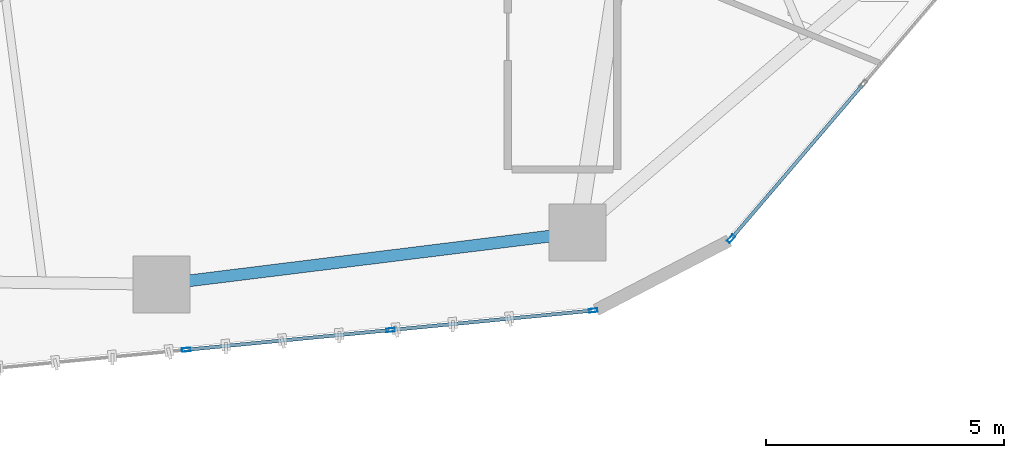
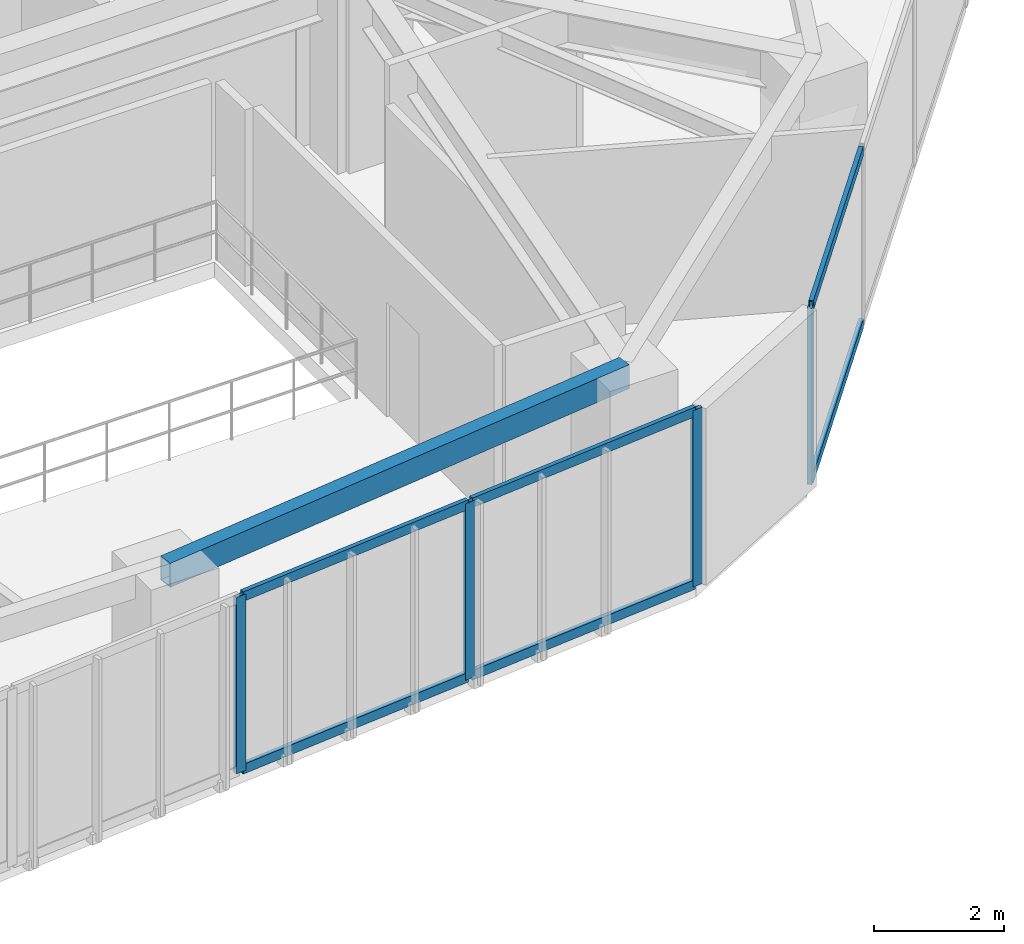
# One storey, part 6 of 22: 10 members, 1 beam, 2 elements without a shape of their own.
"""IFC4 building model written with IfcOpenShell, lengths in metres."""

import ifcopenshell
import ifcopenshell.guid

model = None  # the IFC model being written
_history = None  # IfcOwnerHistory: only IFC2X3 demands one
_inside = {}  # id of a spatial element -> (the spatial element, [elements in it])
_under = {}  # id of a project, library or spatial element -> (it, [spatial elements below it])
_declared = {}  # id of a project -> (the project, [libraries it declares])
_typed = {}  # id of a type object -> (the type object, [elements of that type])
_made_of = {}  # id of a material, layer set ... -> (it, [elements and type objects made of it])


def new_model(schema):
    """Start an empty IFC model of exactly this schema.

    Asked for "IFC4X3", IfcOpenShell would pick the latest addendum, in which some entities
    have other attributes; the version numbers below select the first issue.
    IFC2X3 requires an IfcOwnerHistory on every rooted entity: one is made here for all.
    """
    global model, _history
    if schema == "IFC4X3":
        model = ifcopenshell.file(schema_version=(4, 3, 0, 0))
    else:
        model = ifcopenshell.file(schema=schema)
    _inside.clear()
    _under.clear()
    _declared.clear()
    _typed.clear()
    _made_of.clear()
    _history = None
    if model.schema == "IFC2X3":
        org = make("IfcOrganization", Name="unknown")
        user = make(
            "IfcPersonAndOrganization",
            ThePerson=make("IfcPerson", FamilyName="unknown"),
            TheOrganization=org,
        )
        app = make(
            "IfcApplication",
            ApplicationDeveloper=org,
            Version="unknown",
            ApplicationFullName="unknown",
            ApplicationIdentifier="unknown",
        )
        _history = make(
            "IfcOwnerHistory",
            OwningUser=user,
            OwningApplication=app,
            ChangeAction="ADDED",
            CreationDate=0,
        )
    return model


def make(cls, **values):
    """One entity of the class cls with the attributes given. An attribute that is None is left unset."""
    return model.create_entity(
        cls, **{name: value for name, value in values.items() if value is not None}
    )


def rooted(cls, **values):
    """An entity with a GlobalId (a new one), such as an element, a storey or a relation."""
    return make(cls, GlobalId=ifcopenshell.guid.new(), OwnerHistory=_history, **values)


def si_unit(unit_type, name, prefix=None):
    """IfcSIUnit, for example si_unit("LENGTHUNIT", "METRE", prefix="MILLI")."""
    return make("IfcSIUnit", UnitType=unit_type, Prefix=prefix, Name=name)


def assignment(units):
    """IfcUnitAssignment: the units of a project."""
    return None if units is None else make("IfcUnitAssignment", Units=units)


def point(xyz):
    """IfcCartesianPoint."""
    return None if xyz is None else make("IfcCartesianPoint", Coordinates=xyz)


def direction(xyz):
    """IfcDirection."""
    return None if xyz is None else make("IfcDirection", DirectionRatios=xyz)


def frame(location, z_axis=None, x_axis=None):
    """IfcAxis2Placement3D, a coordinate frame: its origin and axes. An axis left out is left unset."""
    return make(
        "IfcAxis2Placement3D",
        Location=point(location),
        Axis=direction(z_axis),
        RefDirection=direction(x_axis),
    )


def frame_2d(location, x_axis=None):
    """IfcAxis2Placement2D, a coordinate frame in the plane: its origin and x axis."""
    return make(
        "IfcAxis2Placement2D", Location=point(location), RefDirection=direction(x_axis)
    )


def origin():
    """The frame at (0, 0, 0) with its axes left unset."""
    return frame((0.0, 0.0, 0.0))


def origin_2d():
    """The frame at (0, 0) in the plane with its x axis left unset."""
    return frame_2d((0.0, 0.0))


def place(relative_to, where):
    """IfcLocalPlacement: puts the frame where relative to a parent placement (None: the world)."""
    return make(
        "IfcLocalPlacement", PlacementRelTo=relative_to, RelativePlacement=where
    )


def context(
    kind, dimensions, precision=None, world=None, true_north=None, identifier=None
):
    """IfcGeometricRepresentationContext, for example the 3D "Model" context."""
    return make(
        "IfcGeometricRepresentationContext",
        ContextIdentifier=identifier,
        ContextType=kind,
        CoordinateSpaceDimension=dimensions,
        Precision=precision,
        WorldCoordinateSystem=world,
        TrueNorth=true_north,
    )


def subcontext(parent, identifier, kind, view, scale=None):
    """IfcGeometricRepresentationSubContext, for example "Body" below "Model"."""
    return make(
        "IfcGeometricRepresentationSubContext",
        ContextIdentifier=identifier,
        ContextType=kind,
        ParentContext=parent,
        TargetScale=scale,
        TargetView=view,
    )


def project(units=None, contexts=None):
    """IfcProject with its units and contexts."""
    return rooted(
        "IfcProject",
        Name="project",
        RepresentationContexts=contexts,
        UnitsInContext=assignment(units),
    )


def spatial(cls, under=None, at=None, **own):
    """A site, building, storey or space (cls), placed at a placement, below another one or the project."""
    s = rooted(cls, ObjectPlacement=at, **own)
    if under is not None:
        _under.setdefault(under.id(), (under, []))[1].append(s)
    return s


def profile(cls, at=None, kind="AREA", **sizes):
    """A parametric profile (cls). Its sizes go by their IFC names, for example OverallWidth=200.0."""
    return make(cls, ProfileType=kind, Position=at, **sizes)


def hollow_rectangle(**sizes):
    """IfcRectangleHollowProfileDef."""
    return profile("IfcRectangleHollowProfileDef", **sizes)


def extrude(swept, where, along, depth):
    """IfcExtrudedAreaSolid: the profile swept, set in the frame where, extruded along a direction by depth."""
    return make(
        "IfcExtrudedAreaSolid",
        SweptArea=swept,
        Position=where,
        ExtrudedDirection=direction(along),
        Depth=depth,
    )


def shape(context_of_items, identifier, shape_type, items):
    """IfcShapeRepresentation: the items that make up one representation, for example the "Body"."""
    return make(
        "IfcShapeRepresentation",
        ContextOfItems=context_of_items,
        RepresentationIdentifier=identifier,
        RepresentationType=shape_type,
        Items=items,
    )


def source(mapping_origin, context_of_items, identifier, shape_type, items):
    """IfcRepresentationMap: a shape defined once, which mapped items show again and again."""
    return make(
        "IfcRepresentationMap",
        MappingOrigin=mapping_origin,
        MappedRepresentation=shape(context_of_items, identifier, shape_type, items),
    )


def transform(
    local_origin,
    x_axis=None,
    y_axis=None,
    z_axis=None,
    scale=None,
    scale2=None,
    scale3=None,
    uniform=True,
):
    """IfcCartesianTransformationOperator3D, or its non-uniform kind. x_axis, y_axis, z_axis: its Axis1, 2, 3."""
    if uniform:
        return make(
            "IfcCartesianTransformationOperator3D",
            Axis1=direction(x_axis),
            Axis2=direction(y_axis),
            LocalOrigin=point(local_origin),
            Scale=scale,
            Axis3=direction(z_axis),
        )
    return make(
        "IfcCartesianTransformationOperator3DnonUniform",
        Axis1=direction(x_axis),
        Axis2=direction(y_axis),
        LocalOrigin=point(local_origin),
        Scale=scale,
        Axis3=direction(z_axis),
        Scale2=scale2,
        Scale3=scale3,
    )


def mapped(mapping_source, mapping_target):
    """IfcMappedItem: shows the shape of a source again, moved by a transform."""
    return make(
        "IfcMappedItem", MappingSource=mapping_source, MappingTarget=mapping_target
    )


def material(Name=None, Category=None):
    """IfcMaterial."""
    return make("IfcMaterial", Name=Name, Category=Category)


def layer(
    of_material, thickness, ventilated=None, Name=None, Category=None, Priority=None
):
    """IfcMaterialLayer: one layer of a wall or slab, of a material (None: an air gap)."""
    return make(
        "IfcMaterialLayer",
        Material=of_material,
        LayerThickness=thickness,
        IsVentilated=ventilated,
        Name=Name,
        Category=Category,
        Priority=Priority,
    )


def layer_set(layers, Name=None):
    """IfcMaterialLayerSet."""
    return make("IfcMaterialLayerSet", MaterialLayers=layers, LayerSetName=Name)


def material_profile(
    of_material, cross_section, Name=None, Category=None, Priority=None
):
    """IfcMaterialProfile: a cross section and its material."""
    return make(
        "IfcMaterialProfile",
        Name=Name,
        Material=of_material,
        Profile=cross_section,
        Priority=Priority,
        Category=Category,
    )


def profile_set(profiles, Name=None, composite=None):
    """IfcMaterialProfileSet."""
    return make(
        "IfcMaterialProfileSet",
        Name=Name,
        MaterialProfiles=profiles,
        CompositeProfile=composite,
    )


def made_of(thing, what):
    """Note that an element or type object is made of a material, layer set ...; save() writes the relation."""
    if what is not None:
        _made_of.setdefault(what.id(), (what, []))[1].append(thing)
    return thing


def type_object(cls, material=None, **own):
    """A type object (cls), such as IfcWallType, which elements share."""
    return made_of(rooted(cls, **own), material)


def type_shapes(of_type, sources):
    """Give a type object the sources (RepresentationMaps) that its elements show as mapped items."""
    of_type.RepresentationMaps = sources


def element(
    cls,
    number,
    at=None,
    inside=None,
    cuts=None,
    type_object=None,
    material=None,
    context=None,
    identifier="Body",
    shape_type=None,
    held_by="IfcProductDefinitionShape",
    body=None,
    shapes=None,
    **own,
):
    """One element of the class cls, such as IfcWall. Its Tag is "e" and its number.

    at: its placement. inside: the storey or other place that contains it. cuts: it is an
    opening in that element (IfcRelVoidsElement). A single representation is given by context,
    identifier, shape_type and body (its items); several are given by shapes. held_by: the class
    of the entity that holds the representations. save() writes the other relations.
    """
    e = rooted(cls, Tag="e%d" % number, ObjectPlacement=at, **own)
    if body is not None:
        shapes = [shape(context, identifier, shape_type, body)]
    if shapes is not None:
        e.Representation = make(held_by, Representations=shapes)
    if inside is not None:
        _inside.setdefault(inside.id(), (inside, []))[1].append(e)
    if cuts is not None:
        rooted(
            "IfcRelVoidsElement", RelatingBuildingElement=cuts, RelatedOpeningElement=e
        )
    if type_object is not None:
        _typed.setdefault(type_object.id(), (type_object, []))[1].append(e)
    return made_of(e, material)


def aggregate(whole, parts):
    """IfcRelAggregates: a whole, such as a stair, and the parts it consists of."""
    return rooted("IfcRelAggregates", RelatingObject=whole, RelatedObjects=parts)


def save(model, path):
    """Write the relations noted so far, then the file.

    IfcRelAggregates (storeys below a building ...), IfcRelContainedInSpatialStructure (elements
    in a storey), IfcRelDefinesByType, IfcRelAssociatesMaterial and IfcRelDeclares: one each for
    every whole, place, type object, material and project.
    """
    for whole, parts in _under.values():
        aggregate(whole, parts)
    for where, things in _inside.values():
        rooted(
            "IfcRelContainedInSpatialStructure",
            RelatedElements=things,
            RelatingStructure=where,
        )
    for kind, things in _typed.values():
        rooted("IfcRelDefinesByType", RelatedObjects=things, RelatingType=kind)
    for what, things in _made_of.values():
        rooted("IfcRelAssociatesMaterial", RelatedObjects=things, RelatingMaterial=what)
    for by, libraries in _declared.values():
        rooted("IfcRelDeclares", RelatingContext=by, RelatedDefinitions=libraries)
    model.write(path)


model = new_model("IFC4")

# Units and contexts
model_context = context("Model", 3, precision=1e-05, world=origin(), true_north=direction((0.0, 1.0)))
body_context = subcontext(model_context, "Body", "Model", "MODEL_VIEW")
ifc_project = project(units=[si_unit("LENGTHUNIT", "METRE"), si_unit("AREAUNIT", "SQUARE_METRE"), si_unit("VOLUMEUNIT", "CUBIC_METRE"), si_unit("PLANEANGLEUNIT", "RADIAN"), si_unit("MASSUNIT", "GRAM", prefix="KILO")], contexts=[model_context])

# Site, building, storey
site_placement = place(None, origin())
site = spatial("IfcSite", under=ifc_project, at=site_placement, CompositionType="ELEMENT")
building_placement = place(site_placement, origin())
building = spatial("IfcBuilding", under=site, at=building_placement, Name="Talar Marvaseh", CompositionType="ELEMENT")
storey_placement = place(building_placement, frame((0.0, 0.0, 107.39990234375)))
storey = spatial("IfcBuildingStorey", under=building, at=storey_placement, Name="L27", CompositionType="ELEMENT", Elevation=107.39990234375)

# Beam
ifc_material_1 = material(Name="Steel S355", Category="steel")
ifc_material_profile_1 = material_profile(ifc_material_1, hollow_rectangle(XDim=0.25, YDim=0.449951171875, WallThickness=0.01611328125, at=origin_2d()), Name="RHS450x250x16")
ifc_profile_set_1 = profile_set([ifc_material_profile_1], Name="Steel S355")
beam_type = type_object("IfcBeamType", Name="Zone 2 Perimeter Spandrel Beam RHS450x250x16", PredefinedType="SPANDREL", material=ifc_profile_set_1)
beam_placement = place(storey_placement, frame((31.570068359375, 14.26806640625, 3.085205078125), z_axis=(-0.992426007218, -0.122843885468, 0.0), x_axis=(0.122843885468, -0.992426007218, 0.0)))
element("IfcBeam", 1, at=beam_placement, inside=storey, type_object=beam_type, Name="L27 Zone 2 Perimeter Spandrel Beam RHS450x250x16", PredefinedType="SPANDREL", context=body_context, shape_type="SweptSolid", body=[
    extrude(hollow_rectangle(XDim=0.25, YDim=0.449951171875, WallThickness=0.01611328125, at=origin_2d()), origin(), (0.0, 0.0, 1.0), 8.83203125),
])

# Curtain wall, member
ifc_material_2 = material(Name="Architectural Aluminium", Category="aluminium")
ifc_layer = layer(ifc_material_2, 0.199951171875)
ifc_layer_set = layer_set([ifc_layer], Name="Architectural Aluminium")
curtain_wall_type = type_object("IfcCurtainWallType", Name="Unitised Acoustic Library Curtain Wall Z2", PredefinedType="NOTDEFINED", material=ifc_layer_set)
curtain_wall_1_placement = place(storey_placement, origin())
curtain_wall_1 = element("IfcCurtainWall", 2, at=curtain_wall_1_placement, inside=storey, type_object=curtain_wall_type, Name="L27 Unitised Acoustic Library Curtain Wall Z2", PredefinedType="NOTDEFINED")
ifc_material_profile_2 = material_profile(ifc_material_2, hollow_rectangle(XDim=0.074951171875, YDim=0.179931640625, WallThickness=0.0048828125, at=origin_2d()), Name="RHS180x75x5")
ifc_profile_set_2 = profile_set([ifc_material_profile_2], Name="Architectural Aluminium")
member_type_1 = type_object("IfcMemberType", Name="Unitised Curtain Wall Standard Mullion RHS180x75x5", PredefinedType="MULLION", material=ifc_profile_set_2)
shared_shape_1 = source(origin(), body_context, "Body", "SweptSolid", [
    extrude(hollow_rectangle(XDim=0.074951171875, YDim=0.179931640625, WallThickness=0.0048828125, at=origin_2d()), origin(), (0.0, 0.0, 1.0), 3.31005859375),
])
type_shapes(member_type_1, [shared_shape_1])
member_1_placement = place(storey_placement, frame((34.797607421875, 14.140625, 0.0), z_axis=(0.0, 0.0, 1.0), x_axis=(0.760304758607, -0.649566527801, 0.0)))
member_1 = element("IfcMember", 3, at=member_1_placement, type_object=member_type_1, Name="CW-Z2 mullion 6", PredefinedType="MULLION", context=body_context, shape_type="MappedRepresentation", body=[
    mapped(shared_shape_1, transform((0.0, 0.0, 0.0), x_axis=(1.0, 0.0, 0.0), y_axis=(0.0, 1.0, 0.0), z_axis=(0.0, 0.0, 1.0), scale=1.0)),
])

# Curtain wall, members
curtain_wall_2_placement = place(storey_placement, origin())
curtain_wall_2 = element("IfcCurtainWall", 4, at=curtain_wall_2_placement, inside=storey, type_object=curtain_wall_type, Name="L27 Unitised Acoustic Library Curtain Wall Z2", PredefinedType="NOTDEFINED")
member_2_placement = place(storey_placement, frame((31.8974609375, 12.630859375, 0.0), z_axis=(0.0, 0.0, 1.0), x_axis=(0.096000280061, -0.995381306951, 0.0)))
member_2 = element("IfcMember", 5, at=member_2_placement, type_object=member_type_1, Name="CW-Z2 mullion 1", PredefinedType="MULLION", context=body_context, shape_type="MappedRepresentation", body=[
    mapped(shared_shape_1, transform((0.0, 0.0, 0.0), x_axis=(1.0, 0.0, 0.0), y_axis=(0.0, 1.0, 0.0), z_axis=(0.0, 0.0, 1.0), scale=1.0)),
])
member_3_placement = place(storey_placement, frame((27.631103515625, 12.219482421875, 0.0), z_axis=(0.0, 0.0, 1.0), x_axis=(0.096000280061, -0.995381306951, 0.0)))
member_3 = element("IfcMember", 6, at=member_3_placement, type_object=member_type_1, Name="CW-Z2 mullion 2", PredefinedType="MULLION", context=body_context, shape_type="MappedRepresentation", body=[
    mapped(shared_shape_1, transform((0.0, 0.0, 0.0), x_axis=(1.0, 0.0, 0.0), y_axis=(0.0, 1.0, 0.0), z_axis=(0.0, 0.0, 1.0), scale=1.0)),
])
member_4_placement = place(storey_placement, frame((23.32763671875, 11.804443359375, 0.0), z_axis=(0.0, 0.0, 1.0), x_axis=(0.096000280061, -0.995381306951, 0.0)))
member_4 = element("IfcMember", 7, at=member_4_placement, type_object=member_type_1, Name="CW-Z2 mullion 3", PredefinedType="MULLION", context=body_context, shape_type="MappedRepresentation", body=[
    mapped(shared_shape_1, transform((0.0, 0.0, 0.0), x_axis=(1.0, 0.0, 0.0), y_axis=(0.0, 1.0, 0.0), z_axis=(0.0, 0.0, 1.0), scale=1.0)),
])
ifc_material_profile_3 = material_profile(ifc_material_2, hollow_rectangle(XDim=0.074951171875, YDim=0.179931640625, WallThickness=0.0048828125, at=origin_2d()), Name="RHS180x75x5")
ifc_profile_set_3 = profile_set([ifc_material_profile_3], Name="Architectural Aluminium")
member_type_2 = type_object("IfcMemberType", Name="Unitised Curtain Wall Transom RHS180x75x5", PredefinedType="USERDEFINED", material=ifc_profile_set_3)
shared_shape_2 = source(origin(), body_context, "Body", "SweptSolid", [
    extrude(hollow_rectangle(XDim=0.074951171875, YDim=0.179931640625, WallThickness=0.0048828125, at=origin_2d()), origin(), (0.0, 0.0, 1.0), 4.211181640625),
])
member_5_placement = place(storey_placement, frame((31.860107421875, 12.627197265625, 0.03759765625), z_axis=(-0.995386163108, -0.095949915542, 0.0), x_axis=(0.095949915542, -0.995386163108, 0.0)))
member_5 = element("IfcMember", 8, at=member_5_placement, type_object=member_type_2, Name="CW-Z2 transom 1.1", ObjectType="TRANSOM", PredefinedType="USERDEFINED", context=body_context, shape_type="MappedRepresentation", body=[
    mapped(shared_shape_2, transform((0.0, 0.0, 0.0), x_axis=(1.0, 0.0, 0.0), y_axis=(0.0, 1.0, 0.0), z_axis=(0.0, 0.0, 1.0), scale=1.0)),
])
member_6_placement = place(storey_placement, frame((31.860107421875, 12.627197265625, 3.272705078125), z_axis=(-0.995386163108, -0.095949915542, 0.0), x_axis=(0.095949915542, -0.995386163108, 0.0)))
member_6 = element("IfcMember", 9, at=member_6_placement, type_object=member_type_2, Name="CW-Z2 transom 1.2", ObjectType="TRANSOM", PredefinedType="USERDEFINED", context=body_context, shape_type="MappedRepresentation", body=[
    mapped(shared_shape_2, transform((0.0, 0.0, 0.0), x_axis=(1.0, 0.0, 0.0), y_axis=(0.0, 1.0, 0.0), z_axis=(0.0, 0.0, 1.0), scale=1.0)),
])

# Member
shared_shape_3 = source(origin(), body_context, "Body", "SweptSolid", [
    extrude(hollow_rectangle(XDim=0.074951171875, YDim=0.179931640625, WallThickness=0.0048828125, at=origin_2d()), origin(), (0.0, 0.0, 1.0), 4.2109375),
])
member_7_placement = place(storey_placement, frame((37.557373046875, 17.370849609375, 0.03759765625), z_axis=(-0.64956824999, -0.760303287251, 0.0), x_axis=(0.760303287251, -0.64956824999, 0.0)))
member_7 = element("IfcMember", 10, at=member_7_placement, type_object=member_type_2, Name="CW-Z2 transom 5.1", ObjectType="TRANSOM", PredefinedType="USERDEFINED", context=body_context, shape_type="MappedRepresentation", body=[
    mapped(shared_shape_3, transform((0.0, 0.0, 0.0), x_axis=(1.0, 0.0, 0.0), y_axis=(0.0, 1.0, 0.0), z_axis=(0.0, 0.0, 1.0), scale=1.0)),
])

member_8_placement = place(storey_placement, frame((37.557373046875, 17.370849609375, 3.272705078125), z_axis=(-0.64956824999, -0.760303287251, 0.0), x_axis=(0.760303287251, -0.64956824999, 0.0)))
member_8 = element("IfcMember", 11, at=member_8_placement, type_object=member_type_2, Name="CW-Z2 transom 5.2", ObjectType="TRANSOM", PredefinedType="USERDEFINED", context=body_context, shape_type="MappedRepresentation", body=[
    mapped(shared_shape_3, transform((0.0, 0.0, 0.0), x_axis=(1.0, 0.0, 0.0), y_axis=(0.0, 1.0, 0.0), z_axis=(0.0, 0.0, 1.0), scale=1.0)),
])

aggregate(curtain_wall_1, [member_1, member_7, member_8])

shared_shape_4 = source(origin(), body_context, "Body", "SweptSolid", [
    extrude(hollow_rectangle(XDim=0.074951171875, YDim=0.179931640625, WallThickness=0.0048828125, at=origin_2d()), origin(), (0.0, 0.0, 1.0), 4.248291015625),
])
type_shapes(member_type_2, [shared_shape_2, shared_shape_3, shared_shape_4])
member_9_placement = place(storey_placement, frame((27.59375, 12.2158203125, 0.03759765625), z_axis=(-0.995378761626, -0.096026667668, 0.0), x_axis=(0.096026667668, -0.995378761626, 0.0)))
member_9 = element("IfcMember", 12, at=member_9_placement, type_object=member_type_2, Name="CW-Z2 transom 2.1", ObjectType="TRANSOM", PredefinedType="USERDEFINED", context=body_context, shape_type="MappedRepresentation", body=[
    mapped(shared_shape_4, transform((0.0, 0.0, 0.0), x_axis=(1.0, 0.0, 0.0), y_axis=(0.0, 1.0, 0.0), z_axis=(0.0, 0.0, 1.0), scale=1.0)),
])

member_10_placement = place(storey_placement, frame((27.59375, 12.2158203125, 3.272705078125), z_axis=(-0.995378761626, -0.096026667668, 0.0), x_axis=(0.096026667668, -0.995378761626, 0.0)))
member_10 = element("IfcMember", 13, at=member_10_placement, type_object=member_type_2, Name="CW-Z2 transom 2.2", ObjectType="TRANSOM", PredefinedType="USERDEFINED", context=body_context, shape_type="MappedRepresentation", body=[
    mapped(shared_shape_4, transform((0.0, 0.0, 0.0), x_axis=(1.0, 0.0, 0.0), y_axis=(0.0, 1.0, 0.0), z_axis=(0.0, 0.0, 1.0), scale=1.0)),
])

aggregate(curtain_wall_2, [member_2, member_3, member_4, member_5, member_6, member_9, member_10])

save(model, "model.ifc")
